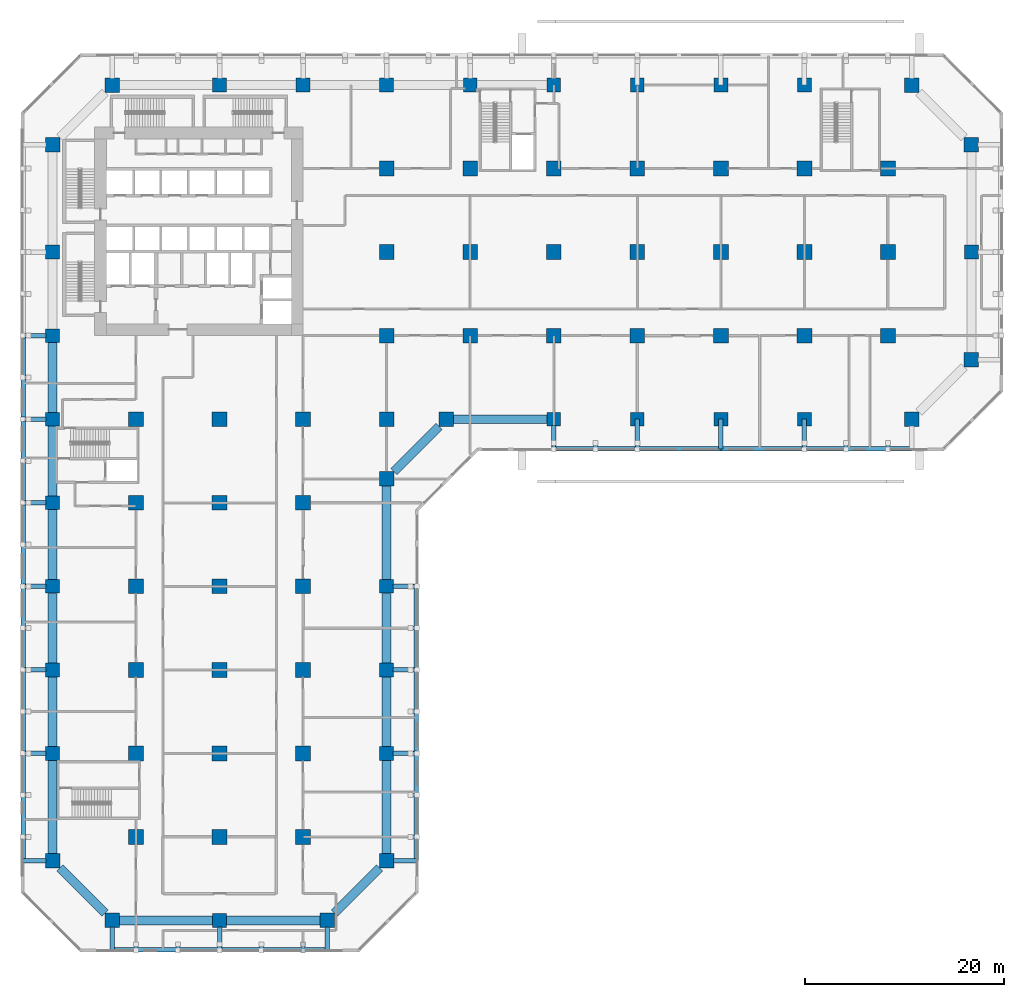
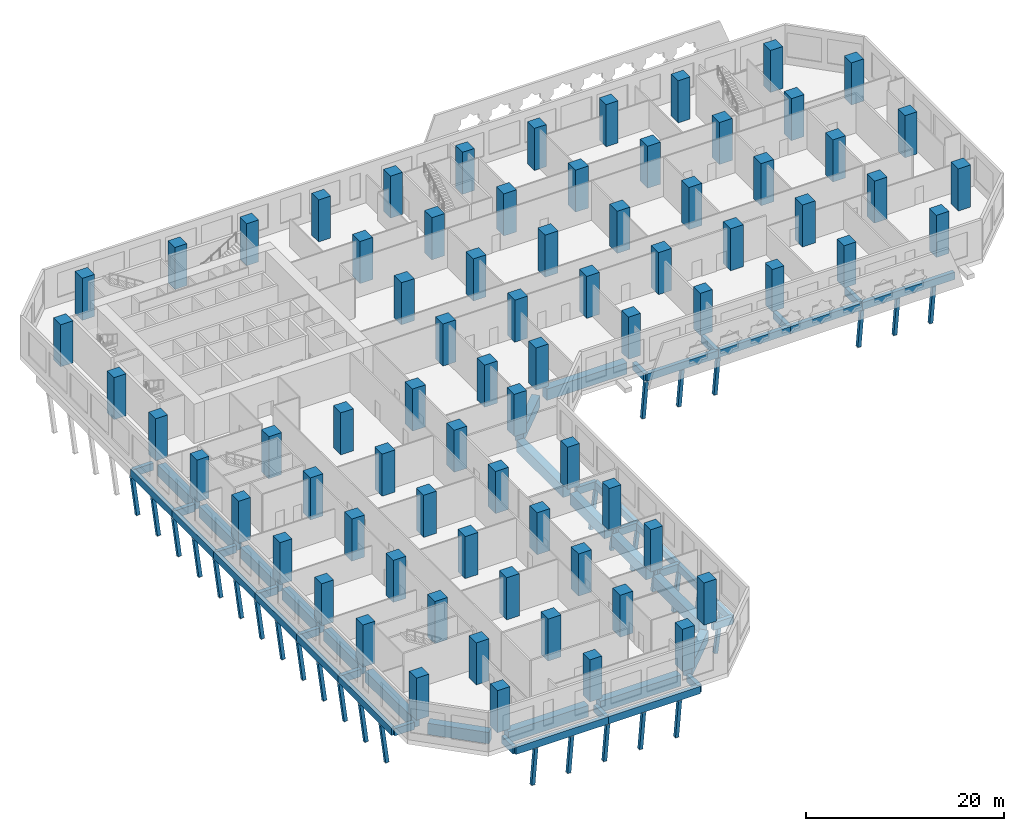
# One storey, part 1 of 21: 76 columns, 49 beams, 31 members.
"""IFC4 building model written with IfcOpenShell, lengths in metres."""

import ifcopenshell
import ifcopenshell.guid

model = None  # the IFC model being written
_history = None  # IfcOwnerHistory: only IFC2X3 demands one
_inside = {}  # id of a spatial element -> (the spatial element, [elements in it])
_under = {}  # id of a project, library or spatial element -> (it, [spatial elements below it])
_declared = {}  # id of a project -> (the project, [libraries it declares])
_typed = {}  # id of a type object -> (the type object, [elements of that type])
_made_of = {}  # id of a material, layer set ... -> (it, [elements and type objects made of it])


def new_model(schema):
    """Start an empty IFC model of exactly this schema.

    Asked for "IFC4X3", IfcOpenShell would pick the latest addendum, in which some entities
    have other attributes; the version numbers below select the first issue.
    IFC2X3 requires an IfcOwnerHistory on every rooted entity: one is made here for all.
    """
    global model, _history
    if schema == "IFC4X3":
        model = ifcopenshell.file(schema_version=(4, 3, 0, 0))
    else:
        model = ifcopenshell.file(schema=schema)
    _inside.clear()
    _under.clear()
    _declared.clear()
    _typed.clear()
    _made_of.clear()
    _history = None
    if model.schema == "IFC2X3":
        org = make("IfcOrganization", Name="unknown")
        user = make(
            "IfcPersonAndOrganization",
            ThePerson=make("IfcPerson", FamilyName="unknown"),
            TheOrganization=org,
        )
        app = make(
            "IfcApplication",
            ApplicationDeveloper=org,
            Version="unknown",
            ApplicationFullName="unknown",
            ApplicationIdentifier="unknown",
        )
        _history = make(
            "IfcOwnerHistory",
            OwningUser=user,
            OwningApplication=app,
            ChangeAction="ADDED",
            CreationDate=0,
        )
    return model


def make(cls, **values):
    """One entity of the class cls with the attributes given. An attribute that is None is left unset."""
    return model.create_entity(
        cls, **{name: value for name, value in values.items() if value is not None}
    )


def rooted(cls, **values):
    """An entity with a GlobalId (a new one), such as an element, a storey or a relation."""
    return make(cls, GlobalId=ifcopenshell.guid.new(), OwnerHistory=_history, **values)


def si_unit(unit_type, name, prefix=None):
    """IfcSIUnit, for example si_unit("LENGTHUNIT", "METRE", prefix="MILLI")."""
    return make("IfcSIUnit", UnitType=unit_type, Prefix=prefix, Name=name)


def assignment(units):
    """IfcUnitAssignment: the units of a project."""
    return None if units is None else make("IfcUnitAssignment", Units=units)


def point(xyz):
    """IfcCartesianPoint."""
    return None if xyz is None else make("IfcCartesianPoint", Coordinates=xyz)


def direction(xyz):
    """IfcDirection."""
    return None if xyz is None else make("IfcDirection", DirectionRatios=xyz)


def frame(location, z_axis=None, x_axis=None):
    """IfcAxis2Placement3D, a coordinate frame: its origin and axes. An axis left out is left unset."""
    return make(
        "IfcAxis2Placement3D",
        Location=point(location),
        Axis=direction(z_axis),
        RefDirection=direction(x_axis),
    )


def frame_2d(location, x_axis=None):
    """IfcAxis2Placement2D, a coordinate frame in the plane: its origin and x axis."""
    return make(
        "IfcAxis2Placement2D", Location=point(location), RefDirection=direction(x_axis)
    )


def origin():
    """The frame at (0, 0, 0) with its axes left unset."""
    return frame((0.0, 0.0, 0.0))


def origin_2d():
    """The frame at (0, 0) in the plane with its x axis left unset."""
    return frame_2d((0.0, 0.0))


def place(relative_to, where):
    """IfcLocalPlacement: puts the frame where relative to a parent placement (None: the world)."""
    return make(
        "IfcLocalPlacement", PlacementRelTo=relative_to, RelativePlacement=where
    )


def context(
    kind, dimensions, precision=None, world=None, true_north=None, identifier=None
):
    """IfcGeometricRepresentationContext, for example the 3D "Model" context."""
    return make(
        "IfcGeometricRepresentationContext",
        ContextIdentifier=identifier,
        ContextType=kind,
        CoordinateSpaceDimension=dimensions,
        Precision=precision,
        WorldCoordinateSystem=world,
        TrueNorth=true_north,
    )


def subcontext(parent, identifier, kind, view, scale=None):
    """IfcGeometricRepresentationSubContext, for example "Body" below "Model"."""
    return make(
        "IfcGeometricRepresentationSubContext",
        ContextIdentifier=identifier,
        ContextType=kind,
        ParentContext=parent,
        TargetScale=scale,
        TargetView=view,
    )


def project(units=None, contexts=None):
    """IfcProject with its units and contexts."""
    return rooted(
        "IfcProject",
        Name="project",
        RepresentationContexts=contexts,
        UnitsInContext=assignment(units),
    )


def spatial(cls, under=None, at=None, **own):
    """A site, building, storey or space (cls), placed at a placement, below another one or the project."""
    s = rooted(cls, ObjectPlacement=at, **own)
    if under is not None:
        _under.setdefault(under.id(), (under, []))[1].append(s)
    return s


def profile(cls, at=None, kind="AREA", **sizes):
    """A parametric profile (cls). Its sizes go by their IFC names, for example OverallWidth=200.0."""
    return make(cls, ProfileType=kind, Position=at, **sizes)


def rectangle(**sizes):
    """IfcRectangleProfileDef."""
    return profile("IfcRectangleProfileDef", **sizes)


def hollow_rectangle(**sizes):
    """IfcRectangleHollowProfileDef."""
    return profile("IfcRectangleHollowProfileDef", **sizes)


def extrude(swept, where, along, depth):
    """IfcExtrudedAreaSolid: the profile swept, set in the frame where, extruded along a direction by depth."""
    return make(
        "IfcExtrudedAreaSolid",
        SweptArea=swept,
        Position=where,
        ExtrudedDirection=direction(along),
        Depth=depth,
    )


def shape(context_of_items, identifier, shape_type, items):
    """IfcShapeRepresentation: the items that make up one representation, for example the "Body"."""
    return make(
        "IfcShapeRepresentation",
        ContextOfItems=context_of_items,
        RepresentationIdentifier=identifier,
        RepresentationType=shape_type,
        Items=items,
    )


def material(Name=None, Category=None):
    """IfcMaterial."""
    return make("IfcMaterial", Name=Name, Category=Category)


def material_profile(
    of_material, cross_section, Name=None, Category=None, Priority=None
):
    """IfcMaterialProfile: a cross section and its material."""
    return make(
        "IfcMaterialProfile",
        Name=Name,
        Material=of_material,
        Profile=cross_section,
        Priority=Priority,
        Category=Category,
    )


def profile_set(profiles, Name=None, composite=None):
    """IfcMaterialProfileSet."""
    return make(
        "IfcMaterialProfileSet",
        Name=Name,
        MaterialProfiles=profiles,
        CompositeProfile=composite,
    )


def made_of(thing, what):
    """Note that an element or type object is made of a material, layer set ...; save() writes the relation."""
    if what is not None:
        _made_of.setdefault(what.id(), (what, []))[1].append(thing)
    return thing


def type_object(cls, material=None, **own):
    """A type object (cls), such as IfcWallType, which elements share."""
    return made_of(rooted(cls, **own), material)


def element(
    cls,
    number,
    at=None,
    inside=None,
    cuts=None,
    type_object=None,
    material=None,
    context=None,
    identifier="Body",
    shape_type=None,
    held_by="IfcProductDefinitionShape",
    body=None,
    shapes=None,
    **own,
):
    """One element of the class cls, such as IfcWall. Its Tag is "e" and its number.

    at: its placement. inside: the storey or other place that contains it. cuts: it is an
    opening in that element (IfcRelVoidsElement). A single representation is given by context,
    identifier, shape_type and body (its items); several are given by shapes. held_by: the class
    of the entity that holds the representations. save() writes the other relations.
    """
    e = rooted(cls, Tag="e%d" % number, ObjectPlacement=at, **own)
    if body is not None:
        shapes = [shape(context, identifier, shape_type, body)]
    if shapes is not None:
        e.Representation = make(held_by, Representations=shapes)
    if inside is not None:
        _inside.setdefault(inside.id(), (inside, []))[1].append(e)
    if cuts is not None:
        rooted(
            "IfcRelVoidsElement", RelatingBuildingElement=cuts, RelatedOpeningElement=e
        )
    if type_object is not None:
        _typed.setdefault(type_object.id(), (type_object, []))[1].append(e)
    return made_of(e, material)


def aggregate(whole, parts):
    """IfcRelAggregates: a whole, such as a stair, and the parts it consists of."""
    return rooted("IfcRelAggregates", RelatingObject=whole, RelatedObjects=parts)


def save(model, path):
    """Write the relations noted so far, then the file.

    IfcRelAggregates (storeys below a building ...), IfcRelContainedInSpatialStructure (elements
    in a storey), IfcRelDefinesByType, IfcRelAssociatesMaterial and IfcRelDeclares: one each for
    every whole, place, type object, material and project.
    """
    for whole, parts in _under.values():
        aggregate(whole, parts)
    for where, things in _inside.values():
        rooted(
            "IfcRelContainedInSpatialStructure",
            RelatedElements=things,
            RelatingStructure=where,
        )
    for kind, things in _typed.values():
        rooted("IfcRelDefinesByType", RelatedObjects=things, RelatingType=kind)
    for what, things in _made_of.values():
        rooted("IfcRelAssociatesMaterial", RelatedObjects=things, RelatingMaterial=what)
    for by, libraries in _declared.values():
        rooted("IfcRelDeclares", RelatingContext=by, RelatedDefinitions=libraries)
    model.write(path)


model = new_model("IFC4")

# Units and contexts
model_context = context("Model", 3, precision=1e-05, world=origin(), true_north=direction((0.0, 1.0)))
body_context = subcontext(model_context, "Body", "Model", "MODEL_VIEW")
ifc_project = project(units=[si_unit("LENGTHUNIT", "METRE"), si_unit("AREAUNIT", "SQUARE_METRE"), si_unit("VOLUMEUNIT", "CUBIC_METRE"), si_unit("PLANEANGLEUNIT", "RADIAN"), si_unit("MASSUNIT", "GRAM", prefix="KILO")], contexts=[model_context])

# Site, building, storey
site_placement = place(None, origin())
site = spatial("IfcSite", under=ifc_project, at=site_placement, CompositionType="ELEMENT")
building_placement = place(site_placement, origin())
building = spatial("IfcBuilding", under=site, at=building_placement, Name="Kawkab Arch Medical Tower", CompositionType="ELEMENT")
storey_placement = place(building_placement, frame((0.0, 0.0, 23.800048828125)))
storey = spatial("IfcBuildingStorey", under=building, at=storey_placement, Name="L05", CompositionType="ELEMENT", Elevation=23.800048828125)

# Columns
ifc_material_1 = material(Name="Concrete C60/75", Category="concrete")
ifc_material_profile_1 = material_profile(ifc_material_1, rectangle(XDim=1.39990234375, YDim=1.39990234375, at=origin_2d()), Name="RC 1400x1400")
ifc_profile_set_1 = profile_set([ifc_material_profile_1], Name="Concrete C60/75")
column_type_1 = type_object("IfcColumnType", Name="RC 1400x1400 column C60/75", PredefinedType="COLUMN", material=ifc_profile_set_1)
for number, where, z_axis, x_axis, name in (
    (1, (16.800048828125, 0.0, 0.0), (0.0, 0.0, 1.0), (1.0, 0.0, 0.0), "Column RC 1400x1400"),
    (2, (25.199951171875, 0.0, 0.0), (0.0, 0.0, 1.0), (1.0, 0.0, 0.0), "Column RC 1400x1400"),
    (3, (33.60009765625, 0.0, 0.0), (0.0, 0.0, 1.0), (1.0, 0.0, 0.0), "Column RC 1400x1400"),
    (4, (42.0, 0.0, 0.0), (0.0, 0.0, 1.0), (1.0, 0.0, 0.0), "Column RC 1400x1400"),
    (5, (50.39990234375, 0.0, 0.0), (0.0, 0.0, 1.0), (1.0, 0.0, 0.0), "Column RC 1400x1400"),
    (6, (58.800048828125, 0.0, 0.0), (0.0, 0.0, 1.0), (1.0, 0.0, 0.0), "Column RC 1400x1400"),
    (7, (67.199951171875, 0.0, 0.0), (0.0, 0.0, 1.0), (1.0, 0.0, 0.0), "Column RC 1400x1400"),
    (8, (75.60009765625, 0.0, 0.0), (0.0, 0.0, 1.0), (1.0, 0.0, 0.0), "Column RC 1400x1400"),
    (9, (0.0, -16.800048828125, 0.0), (0.0, 0.0, 1.0), (1.0, 0.0, 0.0), "Column RC 1400x1400"),
    (10, (92.39990234375, -16.800048828125, 0.0), (0.0, 0.0, 1.0), (1.0, 0.0, 0.0), "Column RC 1400x1400"),
    (11, (0.0, -25.199951171875, 0.0), (0.0, 0.0, 1.0), (1.0, 0.0, 0.0), "Column RC 1400x1400"),
    (12, (0.0, -33.60009765625, 0.0), (0.0, 0.0, 1.0), (1.0, 0.0, 0.0), "Column RC 1400x1400"),
    (13, (50.39990234375, -33.60009765625, 0.0), (0.0, 0.0, 1.0), (1.0, 0.0, 0.0), "Column RC 1400x1400"),
    (14, (58.800048828125, -33.60009765625, 0.0), (0.0, 0.0, 1.0), (1.0, 0.0, 0.0), "Column RC 1400x1400"),
    (15, (67.199951171875, -33.60009765625, 0.0), (0.0, 0.0, 1.0), (1.0, 0.0, 0.0), "Column RC 1400x1400"),
    (16, (75.60009765625, -33.60009765625, 0.0), (0.0, 0.0, 1.0), (1.0, 0.0, 0.0), "Column RC 1400x1400"),
    (17, (0.0, -42.0, 0.0), (0.0, 0.0, 1.0), (1.0, 0.0, 0.0), "Column RC 1400x1400"),
    (18, (0.0, -50.39990234375, 0.0), (0.0, 0.0, 1.0), (1.0, 0.0, 0.0), "Column RC 1400x1400"),
    (19, (33.60009765625, -50.39990234375, 0.0), (0.0, 0.0, 1.0), (1.0, 0.0, 0.0), "Column RC 1400x1400"),
    (20, (0.0, -58.800048828125, 0.0), (0.0, 0.0, 1.0), (1.0, 0.0, 0.0), "Column RC 1400x1400"),
    (21, (33.60009765625, -58.800048828125, 0.0), (0.0, 0.0, 1.0), (1.0, 0.0, 0.0), "Column RC 1400x1400"),
    (22, (0.0, -67.199951171875, 0.0), (0.0, 0.0, 1.0), (1.0, 0.0, 0.0), "Column RC 1400x1400"),
    (23, (33.60009765625, -67.199951171875, 0.0), (0.0, 0.0, 1.0), (1.0, 0.0, 0.0), "Column RC 1400x1400"),
    (24, (16.800048828125, -84.0, 0.0), (0.0, 0.0, 1.0), (1.0, 0.0, 0.0), "Column RC 1400x1400"),
):
    element("IfcColumn", number, at=place(storey_placement, frame(where, z_axis=z_axis, x_axis=x_axis)), inside=storey, type_object=column_type_1, Name=name, PredefinedType="COLUMN", context=body_context, shape_type="SweptSolid", body=[
        extrude(rectangle(XDim=1.39990234375, YDim=1.39990234375, at=origin_2d()), origin(), (0.0, 0.0, 1.0), 5.199951171875),
    ])
ifc_material_2 = material(Name="Concrete C60/75", Category="concrete")
ifc_material_profile_2 = material_profile(ifc_material_2, rectangle(XDim=1.449951171875, YDim=1.449951171875, at=origin_2d()), Name="RC 1450x1450")
ifc_profile_set_2 = profile_set([ifc_material_profile_2], Name="Concrete C60/75")
column_type_2 = type_object("IfcColumnType", Name="RC 1450x1450 column C60/75", PredefinedType="COLUMN", material=ifc_profile_set_2)
for number, where, z_axis, x_axis, name in (
    (25, (6.0, 0.0, 0.0), (0.0, 0.0, 1.0), (1.0, 0.0, 0.0), "Column RC 1450x1450"),
    (26, (86.39990234375, 0.0, 0.0), (0.0, 0.0, 1.0), (1.0, 0.0, 0.0), "Column RC 1450x1450"),
    (27, (0.0, -6.0, 0.0), (0.0, 0.0, 1.0), (1.0, 0.0, 0.0), "Column RC 1450x1450"),
    (28, (92.39990234375, -6.0, 0.0), (0.0, 0.0, 1.0), (1.0, 0.0, 0.0), "Column RC 1450x1450"),
    (29, (92.39990234375, -27.60009765625, 0.0), (0.0, 0.0, 1.0), (1.0, 0.0, 0.0), "Column RC 1450x1450"),
    (30, (39.60009765625, -33.60009765625, 0.0), (0.0, 0.0, 1.0), (1.0, 0.0, 0.0), "Column RC 1450x1450"),
    (31, (86.39990234375, -33.60009765625, 0.0), (0.0, 0.0, 1.0), (1.0, 0.0, 0.0), "Column RC 1450x1450"),
    (32, (33.60009765625, -39.60009765625, 0.0), (0.0, 0.0, 1.0), (1.0, 0.0, 0.0), "Column RC 1450x1450"),
    (33, (0.0, -78.0, 0.0), (0.0, 0.0, 1.0), (1.0, 0.0, 0.0), "Column RC 1450x1450"),
    (34, (33.60009765625, -78.0, 0.0), (0.0, 0.0, 1.0), (1.0, 0.0, 0.0), "Column RC 1450x1450"),
    (35, (6.0, -84.0, 0.0), (0.0, 0.0, 1.0), (1.0, 0.0, 0.0), "Column RC 1450x1450"),
    (36, (27.60009765625, -84.0, 0.0), (0.0, 0.0, 1.0), (1.0, 0.0, 0.0), "Column RC 1450x1450"),
):
    element("IfcColumn", number, at=place(storey_placement, frame(where, z_axis=z_axis, x_axis=x_axis)), inside=storey, type_object=column_type_2, Name=name, PredefinedType="COLUMN", context=body_context, shape_type="SweptSolid", body=[
        extrude(rectangle(XDim=1.449951171875, YDim=1.449951171875, at=origin_2d()), origin(), (0.0, 0.0, 1.0), 5.199951171875),
    ])
ifc_material_3 = material(Name="Concrete C60/75", Category="concrete")
ifc_material_profile_3 = material_profile(ifc_material_3, rectangle(XDim=1.5, YDim=1.5, at=origin_2d()), Name="RC 1500x1500")
ifc_profile_set_3 = profile_set([ifc_material_profile_3], Name="Concrete C60/75")
column_type_3 = type_object("IfcColumnType", Name="RC 1500x1500 column C60/75", PredefinedType="COLUMN", material=ifc_profile_set_3)
for number, where, z_axis, x_axis, name in (
    (37, (33.60009765625, -8.39990234375, 0.0), (0.0, 0.0, 1.0), (1.0, 0.0, 0.0), "Column RC 1500x1500"),
    (38, (42.0, -8.39990234375, 0.0), (0.0, 0.0, 1.0), (1.0, 0.0, 0.0), "Column RC 1500x1500"),
    (39, (50.39990234375, -8.39990234375, 0.0), (0.0, 0.0, 1.0), (1.0, 0.0, 0.0), "Column RC 1500x1500"),
    (40, (58.800048828125, -8.39990234375, 0.0), (0.0, 0.0, 1.0), (1.0, 0.0, 0.0), "Column RC 1500x1500"),
    (41, (67.199951171875, -8.39990234375, 0.0), (0.0, 0.0, 1.0), (1.0, 0.0, 0.0), "Column RC 1500x1500"),
    (42, (75.60009765625, -8.39990234375, 0.0), (0.0, 0.0, 1.0), (1.0, 0.0, 0.0), "Column RC 1500x1500"),
    (43, (84.0, -8.39990234375, 0.0), (0.0, 0.0, 1.0), (1.0, 0.0, 0.0), "Column RC 1500x1500"),
    (44, (33.60009765625, -16.800048828125, 0.0), (0.0, 0.0, 1.0), (1.0, 0.0, 0.0), "Column RC 1500x1500"),
    (45, (42.0, -16.800048828125, 0.0), (0.0, 0.0, 1.0), (1.0, 0.0, 0.0), "Column RC 1500x1500"),
    (46, (50.39990234375, -16.800048828125, 0.0), (0.0, 0.0, 1.0), (1.0, 0.0, 0.0), "Column RC 1500x1500"),
    (47, (58.800048828125, -16.800048828125, 0.0), (0.0, 0.0, 1.0), (1.0, 0.0, 0.0), "Column RC 1500x1500"),
    (48, (67.199951171875, -16.800048828125, 0.0), (0.0, 0.0, 1.0), (1.0, 0.0, 0.0), "Column RC 1500x1500"),
    (49, (75.60009765625, -16.800048828125, 0.0), (0.0, 0.0, 1.0), (1.0, 0.0, 0.0), "Column RC 1500x1500"),
    (50, (84.0, -16.800048828125, 0.0), (0.0, 0.0, 1.0), (1.0, 0.0, 0.0), "Column RC 1500x1500"),
    (51, (33.60009765625, -25.199951171875, 0.0), (0.0, 0.0, 1.0), (1.0, 0.0, 0.0), "Column RC 1500x1500"),
    (52, (42.0, -25.199951171875, 0.0), (0.0, 0.0, 1.0), (1.0, 0.0, 0.0), "Column RC 1500x1500"),
    (53, (50.39990234375, -25.199951171875, 0.0), (0.0, 0.0, 1.0), (1.0, 0.0, 0.0), "Column RC 1500x1500"),
    (54, (58.800048828125, -25.199951171875, 0.0), (0.0, 0.0, 1.0), (1.0, 0.0, 0.0), "Column RC 1500x1500"),
    (55, (67.199951171875, -25.199951171875, 0.0), (0.0, 0.0, 1.0), (1.0, 0.0, 0.0), "Column RC 1500x1500"),
    (56, (75.60009765625, -25.199951171875, 0.0), (0.0, 0.0, 1.0), (1.0, 0.0, 0.0), "Column RC 1500x1500"),
    (57, (84.0, -25.199951171875, 0.0), (0.0, 0.0, 1.0), (1.0, 0.0, 0.0), "Column RC 1500x1500"),
    (58, (8.39990234375, -33.60009765625, 0.0), (0.0, 0.0, 1.0), (1.0, 0.0, 0.0), "Column RC 1500x1500"),
    (59, (16.800048828125, -33.60009765625, 0.0), (0.0, 0.0, 1.0), (1.0, 0.0, 0.0), "Column RC 1500x1500"),
    (60, (25.199951171875, -33.60009765625, 0.0), (0.0, 0.0, 1.0), (1.0, 0.0, 0.0), "Column RC 1500x1500"),
    (61, (33.60009765625, -33.60009765625, 0.0), (0.0, 0.0, 1.0), (1.0, 0.0, 0.0), "Column RC 1500x1500"),
    (62, (8.39990234375, -42.0, 0.0), (0.0, 0.0, 1.0), (1.0, 0.0, 0.0), "Column RC 1500x1500"),
    (63, (16.800048828125, -42.0, 0.0), (0.0, 0.0, 1.0), (1.0, 0.0, 0.0), "Column RC 1500x1500"),
    (64, (25.199951171875, -42.0, 0.0), (0.0, 0.0, 1.0), (1.0, 0.0, 0.0), "Column RC 1500x1500"),
    (65, (8.39990234375, -50.39990234375, 0.0), (0.0, 0.0, 1.0), (1.0, 0.0, 0.0), "Column RC 1500x1500"),
    (66, (16.800048828125, -50.39990234375, 0.0), (0.0, 0.0, 1.0), (1.0, 0.0, 0.0), "Column RC 1500x1500"),
    (67, (25.199951171875, -50.39990234375, 0.0), (0.0, 0.0, 1.0), (1.0, 0.0, 0.0), "Column RC 1500x1500"),
    (68, (8.39990234375, -58.800048828125, 0.0), (0.0, 0.0, 1.0), (1.0, 0.0, 0.0), "Column RC 1500x1500"),
    (69, (16.800048828125, -58.800048828125, 0.0), (0.0, 0.0, 1.0), (1.0, 0.0, 0.0), "Column RC 1500x1500"),
    (70, (25.199951171875, -58.800048828125, 0.0), (0.0, 0.0, 1.0), (1.0, 0.0, 0.0), "Column RC 1500x1500"),
    (71, (8.39990234375, -67.199951171875, 0.0), (0.0, 0.0, 1.0), (1.0, 0.0, 0.0), "Column RC 1500x1500"),
    (72, (16.800048828125, -67.199951171875, 0.0), (0.0, 0.0, 1.0), (1.0, 0.0, 0.0), "Column RC 1500x1500"),
    (73, (25.199951171875, -67.199951171875, 0.0), (0.0, 0.0, 1.0), (1.0, 0.0, 0.0), "Column RC 1500x1500"),
    (74, (8.39990234375, -75.60009765625, 0.0), (0.0, 0.0, 1.0), (1.0, 0.0, 0.0), "Column RC 1500x1500"),
    (75, (16.800048828125, -75.60009765625, 0.0), (0.0, 0.0, 1.0), (1.0, 0.0, 0.0), "Column RC 1500x1500"),
    (76, (25.199951171875, -75.60009765625, 0.0), (0.0, 0.0, 1.0), (1.0, 0.0, 0.0), "Column RC 1500x1500"),
):
    element("IfcColumn", number, at=place(storey_placement, frame(where, z_axis=z_axis, x_axis=x_axis)), inside=storey, type_object=column_type_3, Name=name, PredefinedType="COLUMN", context=body_context, shape_type="SweptSolid", body=[
        extrude(rectangle(XDim=1.5, YDim=1.5, at=origin_2d()), origin(), (0.0, 0.0, 1.0), 5.199951171875),
    ])

# Beams
ifc_material_4 = material(Name="Concrete C60/75", Category="concrete")
ifc_material_profile_4 = material_profile(ifc_material_4, rectangle(XDim=0.449951171875, YDim=0.89990234375, at=origin_2d()), Name="RC 450x900")
ifc_profile_set_4 = profile_set([ifc_material_profile_4], Name="Concrete C60/75")
beam_type_1 = type_object("IfcBeamType", Name="Podium edge beam RC 450x900 C60/75", PredefinedType="BEAM", material=ifc_profile_set_4)
beam_1_placement = place(storey_placement, frame((-2.97509765625, -25.199951171875, -1.0), z_axis=(0.0, -1.0, 0.0), x_axis=(1.0, 0.0, 0.0)))
element("IfcBeam", 77, at=beam_1_placement, inside=storey, type_object=beam_type_1, Name="Podium edge beam L05 R01.3", PredefinedType="BEAM", context=body_context, shape_type="SweptSolid", body=[
    extrude(rectangle(XDim=0.449951171875, YDim=0.89990234375, at=origin_2d()), origin(), (0.0, 0.0, 1.0), 8.400146484375),
])
for number, where, z_axis, x_axis, name in (
    (78, (-2.97509765625, -33.60009765625, -1.0), (0.0, -1.0, 0.0), (1.0, 0.0, 0.0), "Podium edge beam L05 R01.4"),
    (79, (-2.97509765625, -42.0, -1.0), (0.0, -1.0, 0.0), (1.0, 0.0, 0.0), "Podium edge beam L05 R01.5"),
):
    element("IfcBeam", number, at=place(storey_placement, frame(where, z_axis=z_axis, x_axis=x_axis)), inside=storey, type_object=beam_type_1, Name=name, PredefinedType="BEAM", context=body_context, shape_type="SweptSolid", body=[
        extrude(rectangle(XDim=0.449951171875, YDim=0.89990234375, at=origin_2d()), origin(), (0.0, 0.0, 1.0), 8.39990234375),
    ])
beam_2_placement = place(storey_placement, frame((-2.97509765625, -50.39990234375, -1.0), z_axis=(0.0, -1.0, 0.0), x_axis=(1.0, 0.0, 0.0)))
element("IfcBeam", 80, at=beam_2_placement, inside=storey, type_object=beam_type_1, Name="Podium edge beam L05 R01.6", PredefinedType="BEAM", context=body_context, shape_type="SweptSolid", body=[
    extrude(rectangle(XDim=0.449951171875, YDim=0.89990234375, at=origin_2d()), origin(), (0.0, 0.0, 1.0), 8.400146484375),
])
beam_3_placement = place(storey_placement, frame((-2.97509765625, -58.800048828125, -1.0), z_axis=(0.0, -1.0, 0.0), x_axis=(1.0, 0.0, 0.0)))
element("IfcBeam", 81, at=beam_3_placement, inside=storey, type_object=beam_type_1, Name="Podium edge beam L05 R01.7", PredefinedType="BEAM", context=body_context, shape_type="SweptSolid", body=[
    extrude(rectangle(XDim=0.449951171875, YDim=0.89990234375, at=origin_2d()), origin(), (0.0, 0.0, 1.0), 8.39990234375),
])
beam_4_placement = place(storey_placement, frame((-2.97509765625, -67.199951171875, -1.0), z_axis=(0.0, -1.0, 0.0), x_axis=(1.0, 0.0, 0.0)))
element("IfcBeam", 82, at=beam_4_placement, inside=storey, type_object=beam_type_1, Name="Podium edge beam L05 R01.8", PredefinedType="BEAM", context=body_context, shape_type="SweptSolid", body=[
    extrude(rectangle(XDim=0.449951171875, YDim=0.89990234375, at=origin_2d()), origin(), (0.0, 0.0, 1.0), 10.800048828125),
])
for number, where, z_axis, x_axis, name in (
    (83, (-0.64990234375, -25.199951171875, -1.0), (-1.0, 0.0, 0.0), (0.0, -1.0, 0.0), "Podium cantilever beam L05 R01.3"),
    (84, (-0.64990234375, -33.60009765625, -1.0), (-1.0, 0.0, 0.0), (0.0, -1.0, 0.0), "Podium cantilever beam L05 R01.4"),
    (85, (-0.64990234375, -42.0, -1.0), (-1.0, 0.0, 0.0), (0.0, -1.0, 0.0), "Podium cantilever beam L05 R01.5"),
    (86, (-0.64990234375, -50.39990234375, -1.0), (-1.0, 0.0, 0.0), (0.0, -1.0, 0.0), "Podium cantilever beam L05 R01.6"),
    (87, (-0.64990234375, -58.800048828125, -1.0), (-1.0, 0.0, 0.0), (0.0, -1.0, 0.0), "Podium cantilever beam L05 R01.7"),
    (88, (-0.64990234375, -67.199951171875, -1.0), (-1.0, 0.0, 0.0), (0.0, -1.0, 0.0), "Podium cantilever beam L05 R01.8"),
):
    element("IfcBeam", number, at=place(storey_placement, frame(where, z_axis=z_axis, x_axis=x_axis)), inside=storey, type_object=beam_type_1, Name=name, PredefinedType="BEAM", context=body_context, shape_type="SweptSolid", body=[
        extrude(rectangle(XDim=0.449951171875, YDim=0.89990234375, at=origin_2d()), origin(), (0.0, 0.0, 1.0), 2.3251953125),
    ])
beam_5_placement = place(storey_placement, frame((-0.675048828125, -78.0, -1.0), z_axis=(-1.0, 0.0, 0.0), x_axis=(0.0, -1.0, 0.0)))
element("IfcBeam", 89, at=beam_5_placement, inside=storey, type_object=beam_type_1, Name="Podium cantilever beam L05 R01.9", PredefinedType="BEAM", context=body_context, shape_type="SweptSolid", body=[
    extrude(rectangle(XDim=0.449951171875, YDim=0.89990234375, at=origin_2d()), origin(), (0.0, 0.0, 1.0), 2.300048828125),
])
for number, where, z_axis, x_axis, name in (
    (90, (6.0, -86.97509765625, -1.0), (1.0, 0.0, 0.0), (0.0, 1.0, 0.0), "Podium edge beam L05 R03.1"),
    (91, (16.800048828125, -86.97509765625, -1.0), (1.0, 0.0, 0.0), (0.0, 1.0, 0.0), "Podium edge beam L05 R03.2"),
):
    element("IfcBeam", number, at=place(storey_placement, frame(where, z_axis=z_axis, x_axis=x_axis)), inside=storey, type_object=beam_type_1, Name=name, PredefinedType="BEAM", context=body_context, shape_type="SweptSolid", body=[
        extrude(rectangle(XDim=0.449951171875, YDim=0.89990234375, at=origin_2d()), origin(), (0.0, 0.0, 1.0), 10.800048828125),
    ])
beam_6_placement = place(storey_placement, frame((6.0, -84.675048828125, -1.0), z_axis=(0.0, -1.0, 0.0), x_axis=(1.0, 0.0, 0.0)))
element("IfcBeam", 92, at=beam_6_placement, inside=storey, type_object=beam_type_1, Name="Podium cantilever beam L05 R03.1", PredefinedType="BEAM", context=body_context, shape_type="SweptSolid", body=[
    extrude(rectangle(XDim=0.449951171875, YDim=0.89990234375, at=origin_2d()), origin(), (0.0, 0.0, 1.0), 2.300048828125),
])
beam_7_placement = place(storey_placement, frame((16.800048828125, -84.64990234375, -1.0), z_axis=(0.0, -1.0, 0.0), x_axis=(1.0, 0.0, 0.0)))
element("IfcBeam", 93, at=beam_7_placement, inside=storey, type_object=beam_type_1, Name="Podium cantilever beam L05 R03.2", PredefinedType="BEAM", context=body_context, shape_type="SweptSolid", body=[
    extrude(rectangle(XDim=0.449951171875, YDim=0.89990234375, at=origin_2d()), origin(), (0.0, 0.0, 1.0), 2.3251953125),
])
beam_8_placement = place(storey_placement, frame((27.60009765625, -84.675048828125, -1.0), z_axis=(0.0, -1.0, 0.0), x_axis=(1.0, 0.0, 0.0)))
element("IfcBeam", 94, at=beam_8_placement, inside=storey, type_object=beam_type_1, Name="Podium cantilever beam L05 R03.3", PredefinedType="BEAM", context=body_context, shape_type="SweptSolid", body=[
    extrude(rectangle(XDim=0.449951171875, YDim=0.89990234375, at=origin_2d()), origin(), (0.0, 0.0, 1.0), 2.300048828125),
])
beam_9_placement = place(storey_placement, frame((36.574951171875, -78.0, -1.0), z_axis=(0.0, 1.0, 0.0), x_axis=(-1.0, 0.0, 0.0)))
element("IfcBeam", 95, at=beam_9_placement, inside=storey, type_object=beam_type_1, Name="Podium edge beam L05 R05.1", PredefinedType="BEAM", context=body_context, shape_type="SweptSolid", body=[
    extrude(rectangle(XDim=0.449951171875, YDim=0.89990234375, at=origin_2d()), origin(), (0.0, 0.0, 1.0), 10.800048828125),
])
beam_10_placement = place(storey_placement, frame((36.574951171875, -67.199951171875, -1.0), z_axis=(0.0, 1.0, 0.0), x_axis=(-1.0, 0.0, 0.0)))
element("IfcBeam", 96, at=beam_10_placement, inside=storey, type_object=beam_type_1, Name="Podium edge beam L05 R05.2", PredefinedType="BEAM", context=body_context, shape_type="SweptSolid", body=[
    extrude(rectangle(XDim=0.449951171875, YDim=0.89990234375, at=origin_2d()), origin(), (0.0, 0.0, 1.0), 8.39990234375),
])
beam_11_placement = place(storey_placement, frame((36.574951171875, -58.800048828125, -1.0), z_axis=(0.0, 1.0, 0.0), x_axis=(-1.0, 0.0, 0.0)))
element("IfcBeam", 97, at=beam_11_placement, inside=storey, type_object=beam_type_1, Name="Podium edge beam L05 R05.3", PredefinedType="BEAM", context=body_context, shape_type="SweptSolid", body=[
    extrude(rectangle(XDim=0.449951171875, YDim=0.89990234375, at=origin_2d()), origin(), (0.0, 0.0, 1.0), 8.400146484375),
])
beam_12_placement = place(storey_placement, frame((34.27490234375, -78.0, -1.0), z_axis=(1.0, 0.0, 0.0), x_axis=(0.0, 1.0, 0.0)))
element("IfcBeam", 98, at=beam_12_placement, inside=storey, type_object=beam_type_1, Name="Podium cantilever beam L05 R05.1", PredefinedType="BEAM", context=body_context, shape_type="SweptSolid", body=[
    extrude(rectangle(XDim=0.449951171875, YDim=0.89990234375, at=origin_2d()), origin(), (0.0, 0.0, 1.0), 2.300048828125),
])
for number, where, z_axis, x_axis, name in (
    (99, (34.25, -67.199951171875, -1.0), (1.0, 0.0, 0.0), (0.0, 1.0, 0.0), "Podium cantilever beam L05 R05.2"),
    (100, (34.25, -58.800048828125, -1.0), (1.0, 0.0, 0.0), (0.0, 1.0, 0.0), "Podium cantilever beam L05 R05.3"),
    (101, (34.25, -50.39990234375, -1.0), (1.0, 0.0, 0.0), (0.0, 1.0, 0.0), "Podium cantilever beam L05 R05.4"),
):
    element("IfcBeam", number, at=place(storey_placement, frame(where, z_axis=z_axis, x_axis=x_axis)), inside=storey, type_object=beam_type_1, Name=name, PredefinedType="BEAM", context=body_context, shape_type="SweptSolid", body=[
        extrude(rectangle(XDim=0.449951171875, YDim=0.89990234375, at=origin_2d()), origin(), (0.0, 0.0, 1.0), 2.324951171875),
    ])
beam_13_placement = place(storey_placement, frame((50.39990234375, -36.574951171875, -1.0), z_axis=(1.0, 0.0, 0.0), x_axis=(0.0, 1.0, 0.0)))
element("IfcBeam", 102, at=beam_13_placement, inside=storey, type_object=beam_type_1, Name="Podium edge beam L05 R07.1", PredefinedType="BEAM", context=body_context, shape_type="SweptSolid", body=[
    extrude(rectangle(XDim=0.449951171875, YDim=0.89990234375, at=origin_2d()), origin(), (0.0, 0.0, 1.0), 8.400146484375),
])
beam_14_placement = place(storey_placement, frame((58.800048828125, -36.574951171875, -1.0), z_axis=(1.0, 0.0, 0.0), x_axis=(0.0, 1.0, 0.0)))
element("IfcBeam", 103, at=beam_14_placement, inside=storey, type_object=beam_type_1, Name="Podium edge beam L05 R07.2", PredefinedType="BEAM", context=body_context, shape_type="SweptSolid", body=[
    extrude(rectangle(XDim=0.449951171875, YDim=0.89990234375, at=origin_2d()), origin(), (0.0, 0.0, 1.0), 8.39990234375),
])
beam_15_placement = place(storey_placement, frame((67.199951171875, -36.574951171875, -1.0), z_axis=(1.0, 0.0, 0.0), x_axis=(0.0, 1.0, 0.0)))
element("IfcBeam", 104, at=beam_15_placement, inside=storey, type_object=beam_type_1, Name="Podium edge beam L05 R07.3", PredefinedType="BEAM", context=body_context, shape_type="SweptSolid", body=[
    extrude(rectangle(XDim=0.449951171875, YDim=0.89990234375, at=origin_2d()), origin(), (0.0, 0.0, 1.0), 8.400146484375),
])
beam_16_placement = place(storey_placement, frame((75.60009765625, -36.574951171875, -1.0), z_axis=(1.0, 0.0, 0.0), x_axis=(0.0, 1.0, 0.0)))
element("IfcBeam", 105, at=beam_16_placement, inside=storey, type_object=beam_type_1, Name="Podium edge beam L05 R07.4", PredefinedType="BEAM", context=body_context, shape_type="SweptSolid", body=[
    extrude(rectangle(XDim=0.449951171875, YDim=0.89990234375, at=origin_2d()), origin(), (0.0, 0.0, 1.0), 10.7998046875),
])
beam_17_placement = place(storey_placement, frame((50.39990234375, -34.25, -1.0), z_axis=(0.0, -1.0, 0.0), x_axis=(1.0, 0.0, 0.0)))
element("IfcBeam", 106, at=beam_17_placement, inside=storey, type_object=beam_type_1, Name="Podium cantilever beam L05 R07.1", PredefinedType="BEAM", context=body_context, shape_type="SweptSolid", body=[
    extrude(rectangle(XDim=0.449951171875, YDim=0.89990234375, at=origin_2d()), origin(), (0.0, 0.0, 1.0), 2.324951171875),
])
for number, where, z_axis, x_axis, name in (
    (107, (58.800048828125, -33.590087890625, -1.0), (0.0, -1.0, 0.0), (1.0, 0.0, 0.0), "Podium cantilever beam L05 R07.2"),
    (108, (67.199951171875, -33.590087890625, -1.0), (0.0, -1.0, 0.0), (1.0, 0.0, 0.0), "Podium cantilever beam L05 R07.3"),
    (109, (75.60009765625, -33.590087890625, -1.0), (0.0, -1.0, 0.0), (1.0, 0.0, 0.0), "Podium cantilever beam L05 R07.4"),
):
    element("IfcBeam", number, at=place(storey_placement, frame(where, z_axis=z_axis, x_axis=x_axis)), inside=storey, type_object=beam_type_1, Name=name, PredefinedType="BEAM", context=body_context, shape_type="SweptSolid", body=[
        extrude(rectangle(XDim=0.449951171875, YDim=0.89990234375, at=origin_2d()), origin(), (0.0, 0.0, 1.0), 2.98486328125),
    ])

# Members
ifc_material_5 = material(Name="Steel S355", Category="steel")
ifc_material_profile_5 = material_profile(ifc_material_5, hollow_rectangle(XDim=0.39990234375, YDim=0.39990234375, WallThickness=0.01611328125, at=origin_2d()), Name="SHS 400x400x16")
ifc_profile_set_5 = profile_set([ifc_material_profile_5], Name="Steel S355")
member_type = type_object("IfcMemberType", Name="Podium raking strut SHS 400x400x16", PredefinedType="STRUT", material=ifc_profile_set_5)
for number, where, z_axis, x_axis, name in (
    (110, (-2.402587890625, -25.199951171875, -6.380126953125), (-0.126414007118, 0.0, 0.991977569708), (0.0, -1.0, 0.0), "Raking strut L05 5"),
    (111, (-2.402587890625, -29.39990234375, -6.380126953125), (-0.126414007118, 0.0, 0.991977569708), (0.0, -1.0, 0.0), "Raking strut L05 6"),
    (112, (-2.402587890625, -33.60009765625, -6.380126953125), (-0.126414007118, 0.0, 0.991977569708), (0.0, -1.0, 0.0), "Raking strut L05 7"),
    (113, (-2.402587890625, -37.800048828125, -6.380126953125), (-0.126414007118, 0.0, 0.991977569708), (0.0, -1.0, 0.0), "Raking strut L05 8"),
    (114, (-2.402587890625, -42.0, -6.380126953125), (-0.126414007118, 0.0, 0.991977569708), (0.0, -1.0, 0.0), "Raking strut L05 9"),
    (115, (-2.402587890625, -46.199951171875, -6.380126953125), (-0.126414007118, 0.0, 0.991977569708), (0.0, -1.0, 0.0), "Raking strut L05 10"),
    (116, (-2.402587890625, -50.39990234375, -6.380126953125), (-0.126414007118, 0.0, 0.991977569708), (0.0, -1.0, 0.0), "Raking strut L05 11"),
    (117, (-2.402587890625, -54.60009765625, -6.380126953125), (-0.126414007118, 0.0, 0.991977569708), (0.0, -1.0, 0.0), "Raking strut L05 12"),
    (118, (-2.402587890625, -58.800048828125, -6.380126953125), (-0.126414007118, 0.0, 0.991977569708), (0.0, -1.0, 0.0), "Raking strut L05 13"),
    (119, (-2.402587890625, -63.0, -6.380126953125), (-0.126414007118, 0.0, 0.991977569708), (0.0, -1.0, 0.0), "Raking strut L05 14"),
    (120, (-2.402587890625, -67.199951171875, -6.380126953125), (-0.126414007118, 0.0, 0.991977569708), (0.0, -1.0, 0.0), "Raking strut L05 15"),
    (121, (-2.402587890625, -71.39990234375, -6.380126953125), (-0.126414007118, 0.0, 0.991977569708), (0.0, -1.0, 0.0), "Raking strut L05 16"),
    (122, (-2.402587890625, -75.60009765625, -6.380126953125), (-0.126414007118, 0.0, 0.991977569708), (0.0, -1.0, 0.0), "Raking strut L05 17"),
    (123, (8.39990234375, -86.402587890625, -6.380126953125), (0.0, -0.126414007118, 0.991977569708), (1.0, 0.0, 0.0), "Raking strut L05 18"),
    (124, (12.60009765625, -86.402587890625, -6.380126953125), (0.0, -0.126414007118, 0.991977569708), (1.0, 0.0, 0.0), "Raking strut L05 19"),
    (125, (16.800048828125, -86.402587890625, -6.380126953125), (0.0, -0.126414007118, 0.991977569708), (1.0, 0.0, 0.0), "Raking strut L05 20"),
    (126, (21.0, -86.402587890625, -6.380126953125), (0.0, -0.126414007118, 0.991977569708), (1.0, 0.0, 0.0), "Raking strut L05 21"),
    (127, (25.199951171875, -86.402587890625, -6.380126953125), (0.0, -0.126414007118, 0.991977569708), (1.0, 0.0, 0.0), "Raking strut L05 22"),
    (128, (36.00244140625, -50.39990234375, -6.380126953125), (0.126462541135, 0.0, 0.991971383503), (0.0, 1.0, 0.0), "Raking strut L05 23"),
    (129, (36.00244140625, -54.60009765625, -6.380126953125), (0.126462541135, 0.0, 0.991971383503), (0.0, 1.0, 0.0), "Raking strut L05 24"),
    (130, (36.00244140625, -58.800048828125, -6.380126953125), (0.126462541135, 0.0, 0.991971383503), (0.0, 1.0, 0.0), "Raking strut L05 25"),
    (131, (36.00244140625, -63.0, -6.380126953125), (0.126462541135, 0.0, 0.991971383503), (0.0, 1.0, 0.0), "Raking strut L05 26"),
    (132, (36.00244140625, -67.199951171875, -6.380126953125), (0.126462541135, 0.0, 0.991971383503), (0.0, 1.0, 0.0), "Raking strut L05 27"),
    (133, (36.00244140625, -71.39990234375, -6.380126953125), (0.126462541135, 0.0, 0.991971383503), (0.0, 1.0, 0.0), "Raking strut L05 28"),
    (134, (36.00244140625, -75.60009765625, -6.380126953125), (0.126462541135, 0.0, 0.991971383503), (0.0, 1.0, 0.0), "Raking strut L05 29"),
    (135, (50.39990234375, -36.00244140625, -6.380126953125), (0.0, -0.126462541135, 0.991971383503), (1.0, 0.0, 0.0), "Raking strut L05 30"),
    (136, (54.60009765625, -36.00244140625, -6.380126953125), (0.0, -0.126462541135, 0.991971383503), (1.0, 0.0, 0.0), "Raking strut L05 31"),
    (137, (58.800048828125, -36.00244140625, -6.380126953125), (0.0, -0.126462541135, 0.991971383503), (1.0, 0.0, 0.0), "Raking strut L05 32"),
    (138, (75.60009765625, -36.00244140625, -6.380126953125), (0.0, -0.126462541135, 0.991971383503), (1.0, 0.0, 0.0), "Raking strut L05 33"),
    (139, (79.800048828125, -36.00244140625, -6.380126953125), (0.0, -0.126462541135, 0.991971383503), (1.0, 0.0, 0.0), "Raking strut L05 34"),
    (140, (84.0, -36.00244140625, -6.380126953125), (0.0, -0.126462541135, 0.991971383503), (1.0, 0.0, 0.0), "Raking strut L05 35"),
):
    element("IfcMember", number, at=place(storey_placement, frame(where, z_axis=z_axis, x_axis=x_axis)), inside=storey, type_object=member_type, Name=name, PredefinedType="STRUT", context=body_context, shape_type="SweptSolid", body=[
        extrude(hollow_rectangle(XDim=0.39990234375, YDim=0.39990234375, WallThickness=0.01611328125, at=origin_2d()), origin(), (0.0, 0.0, 1.0), 4.949951171875),
    ])

# Beams
ifc_material_6 = material(Name="Concrete C60/75", Category="concrete")
ifc_material_profile_6 = material_profile(ifc_material_6, rectangle(XDim=0.89990234375, YDim=1.39990234375, at=origin_2d()), Name="RC 900x1400")
ifc_profile_set_6 = profile_set([ifc_material_profile_6], Name="Concrete C60/75")
beam_type_2 = type_object("IfcBeamType", Name="RC 900x1400 beam C60/75", PredefinedType="BEAM", material=ifc_profile_set_6)
for number, where, z_axis, x_axis, name in (
    (141, (0.0, -25.89990234375, -1.25), (0.0, -1.0, 0.0), (1.0, 0.0, 0.0), "Podium edge beam L05-03"),
    (142, (0.0, -34.300048828125, -1.25), (0.0, -1.0, 0.0), (1.0, 0.0, 0.0), "Podium edge beam L05-04"),
    (143, (0.0, -42.699951171875, -1.25), (0.0, -1.0, 0.0), (1.0, 0.0, 0.0), "Podium edge beam L05-05"),
    (144, (0.0, -51.10009765625, -1.25), (0.0, -1.0, 0.0), (1.0, 0.0, 0.0), "Podium edge beam L05-06"),
    (145, (0.0, -59.5, -1.25), (0.0, -1.0, 0.0), (1.0, 0.0, 0.0), "Podium edge beam L05-07"),
):
    element("IfcBeam", number, at=place(storey_placement, frame(where, z_axis=z_axis, x_axis=x_axis)), inside=storey, type_object=beam_type_2, Name=name, PredefinedType="BEAM", context=body_context, shape_type="SweptSolid", body=[
        extrude(rectangle(XDim=0.89990234375, YDim=1.39990234375, at=origin_2d()), origin(), (0.0, 0.0, 1.0), 7.0),
    ])
beam_18_placement = place(storey_placement, frame((0.0, -67.89990234375, -1.25), z_axis=(0.0, -1.0, 0.0), x_axis=(1.0, 0.0, 0.0)))
element("IfcBeam", 146, at=beam_18_placement, inside=storey, type_object=beam_type_2, Name="Podium edge beam L05-08", PredefinedType="BEAM", context=body_context, shape_type="SweptSolid", body=[
    extrude(rectangle(XDim=0.89990234375, YDim=1.39990234375, at=origin_2d()), origin(), (0.0, 0.0, 1.0), 9.375),
])
beam_19_placement = place(storey_placement, frame((0.72509765625, -78.72509765625, -1.25), z_axis=(0.707106781187, -0.707106781187, 0.0), x_axis=(0.707106781187, 0.707106781187, 0.0)))
element("IfcBeam", 147, at=beam_19_placement, inside=storey, type_object=beam_type_2, Name="Podium edge beam L05-09", PredefinedType="BEAM", context=body_context, shape_type="SweptSolid", body=[
    extrude(rectangle(XDim=0.89990234375, YDim=1.39990234375, at=origin_2d()), origin(), (0.0, 0.0, 1.0), 6.434326171875),
])
for number, where, z_axis, x_axis, name in (
    (148, (6.72509765625, -84.0, -1.25), (1.0, 0.0, 0.0), (0.0, 1.0, 0.0), "Podium edge beam L05-10"),
    (149, (17.5, -84.0, -1.25), (1.0, 0.0, 0.0), (0.0, 1.0, 0.0), "Podium edge beam L05-11"),
):
    element("IfcBeam", number, at=place(storey_placement, frame(where, z_axis=z_axis, x_axis=x_axis)), inside=storey, type_object=beam_type_2, Name=name, PredefinedType="BEAM", context=body_context, shape_type="SweptSolid", body=[
        extrude(rectangle(XDim=0.89990234375, YDim=1.39990234375, at=origin_2d()), origin(), (0.0, 0.0, 1.0), 9.375),
    ])
beam_20_placement = place(storey_placement, frame((28.324951171875, -83.27490234375, -1.25), z_axis=(0.707125751951, 0.707087809913, 0.0), x_axis=(-0.707087809913, 0.707125751951, 0.0)))
element("IfcBeam", 150, at=beam_20_placement, inside=storey, type_object=beam_type_2, Name="Podium edge beam L05-12", PredefinedType="BEAM", context=body_context, shape_type="SweptSolid", body=[
    extrude(rectangle(XDim=0.89990234375, YDim=1.39990234375, at=origin_2d()), origin(), (0.0, 0.0, 1.0), 6.4345703125),
])
beam_21_placement = place(storey_placement, frame((33.60009765625, -77.27490234375, -1.25), z_axis=(0.0, 1.0, 0.0), x_axis=(-1.0, 0.0, 0.0)))
element("IfcBeam", 151, at=beam_21_placement, inside=storey, type_object=beam_type_2, Name="Podium edge beam L05-13", PredefinedType="BEAM", context=body_context, shape_type="SweptSolid", body=[
    extrude(rectangle(XDim=0.89990234375, YDim=1.39990234375, at=origin_2d()), origin(), (0.0, 0.0, 1.0), 9.375),
])
for number, where, z_axis, x_axis, name in (
    (152, (33.60009765625, -66.5, -1.25), (0.0, 1.0, 0.0), (-1.0, 0.0, 0.0), "Podium edge beam L05-14"),
    (153, (33.60009765625, -58.10009765625, -1.25), (0.0, 1.0, 0.0), (-1.0, 0.0, 0.0), "Podium edge beam L05-15"),
):
    element("IfcBeam", number, at=place(storey_placement, frame(where, z_axis=z_axis, x_axis=x_axis)), inside=storey, type_object=beam_type_2, Name=name, PredefinedType="BEAM", context=body_context, shape_type="SweptSolid", body=[
        extrude(rectangle(XDim=0.89990234375, YDim=1.39990234375, at=origin_2d()), origin(), (0.0, 0.0, 1.0), 7.0),
    ])
beam_22_placement = place(storey_placement, frame((33.60009765625, -49.699951171875, -1.25), z_axis=(0.0, 1.0, 0.0), x_axis=(-1.0, 0.0, 0.0)))
element("IfcBeam", 154, at=beam_22_placement, inside=storey, type_object=beam_type_2, Name="Podium edge beam L05-16", PredefinedType="BEAM", context=body_context, shape_type="SweptSolid", body=[
    extrude(rectangle(XDim=0.89990234375, YDim=1.39990234375, at=origin_2d()), origin(), (0.0, 0.0, 1.0), 9.375),
])
beam_23_placement = place(storey_placement, frame((34.324951171875, -38.875, -1.25), z_axis=(0.707106781187, 0.707106781187, 0.0), x_axis=(-0.707106781187, 0.707106781187, 0.0)))
element("IfcBeam", 155, at=beam_23_placement, inside=storey, type_object=beam_type_2, Name="Podium edge beam L05-17", PredefinedType="BEAM", context=body_context, shape_type="SweptSolid", body=[
    extrude(rectangle(XDim=0.89990234375, YDim=1.39990234375, at=origin_2d()), origin(), (0.0, 0.0, 1.0), 6.434814453125),
])
beam_24_placement = place(storey_placement, frame((40.324951171875, -33.60009765625, -1.25), z_axis=(1.0, 0.0, 0.0), x_axis=(0.0, 1.0, 0.0)))
element("IfcBeam", 156, at=beam_24_placement, inside=storey, type_object=beam_type_2, Name="Podium edge beam L05-18", PredefinedType="BEAM", context=body_context, shape_type="SweptSolid", body=[
    extrude(rectangle(XDim=0.89990234375, YDim=1.39990234375, at=origin_2d()), origin(), (0.0, 0.0, 1.0), 9.375),
])

save(model, "model.ifc")
